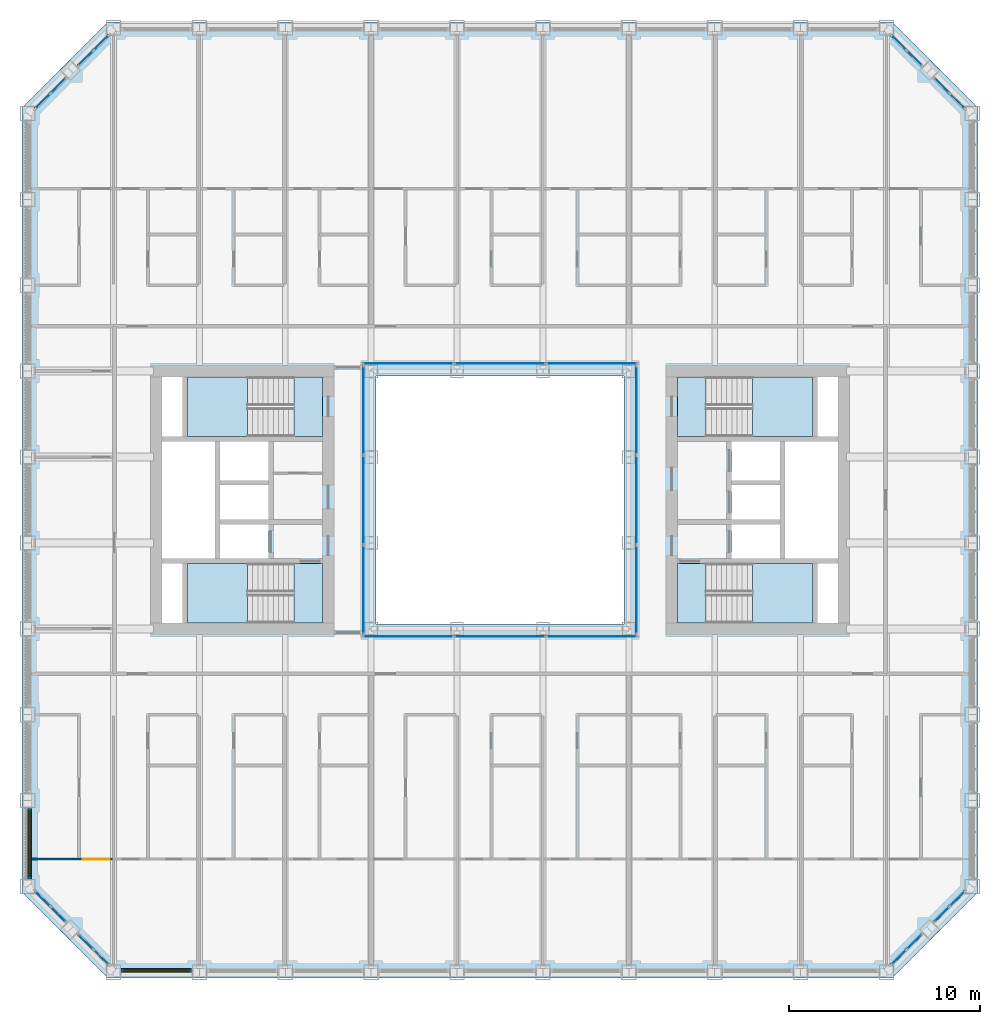
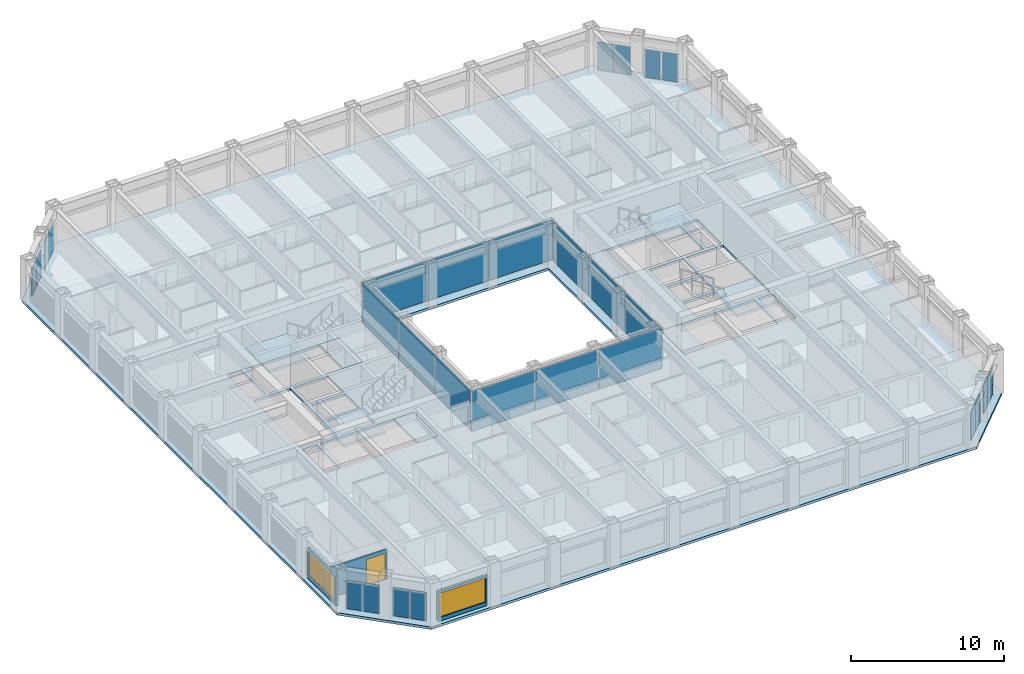
# One storey, part 8 of 21: 28 plates, 9 slabs, 3 walls, 2 windows, 1 door, 3 openings, 16 elements without a shape of their own.
"""IFC4 building model written with IfcOpenShell, lengths in metres."""

from ifc_helpers import new_model, si_unit, direction, frame, frame_2d, origin, origin_2d, place, context, subcontext, project, spatial, polyline, rectangle, outline, extrude, material, layer, layer_set, type_object, element, fill, aggregate, save


model = new_model("IFC4")

# Units and contexts
model_context = context("Model", 3, precision=1e-05, world=origin(), true_north=direction((0.0, 1.0)))
body_context = subcontext(model_context, "Body", "Model", "MODEL_VIEW")
ifc_project = project(units=[si_unit("LENGTHUNIT", "METRE"), si_unit("AREAUNIT", "SQUARE_METRE"), si_unit("VOLUMEUNIT", "CUBIC_METRE"), si_unit("PLANEANGLEUNIT", "RADIAN"), si_unit("MASSUNIT", "GRAM", prefix="KILO")], contexts=[model_context])

# Site, building, storey
site_placement = place(None, origin())
site = spatial("IfcSite", under=ifc_project, at=site_placement, CompositionType="ELEMENT")
building_placement = place(site_placement, origin())
building = spatial("IfcBuilding", under=site, at=building_placement, Name="Msasa Ring Tower", CompositionType="ELEMENT")
storey_placement = place(building_placement, frame((0.0, 0.0, 96.5)))
storey = spatial("IfcBuildingStorey", under=building, at=storey_placement, Name="L25", CompositionType="ELEMENT", Elevation=96.5)

# Curtain wall, plates
ifc_material_1 = material(Name="Aluminium curtain wall with clear glass", Category="aluminium")
curtain_wall_type_1 = type_object("IfcCurtainWallType", Name="CW-C CHAMFER CORNER CURTAIN WALL", PredefinedType="NOTDEFINED", material=ifc_material_1)
curtain_wall_1_placement = place(storey_placement, origin())
curtain_wall_1 = element("IfcCurtainWall", 1, at=curtain_wall_1_placement, inside=storey, type_object=curtain_wall_type_1, Name="Chamfer corner curtain wall SE L25", PredefinedType="NOTDEFINED")
ifc_material_2 = material(Name="Clear laminated insulating glass unit", Category="glass")
ifc_layer_1 = layer(ifc_material_2, 0.031982421875)
ifc_layer_set_1 = layer_set([ifc_layer_1], Name="CW-C GLASS PANEL 32")
plate_type_1 = type_object("IfcPlateType", Name="CW-C GLASS PANEL 32", PredefinedType="CURTAIN_PANEL", material=ifc_layer_set_1)
plate_1_placement = place(storey_placement, frame((20.896484375, -23.962158203125, 0.06494140625), z_axis=(0.0, 0.0, 1.0), x_axis=(0.707106781187, 0.707106781187, 0.0)))
plate_1 = element("IfcPlate", 2, at=plate_1_placement, type_object=plate_type_1, Name="CW-C panel 1.1", PredefinedType="CURTAIN_PANEL", context=body_context, shape_type="SweptSolid", body=[
    extrude(rectangle(XDim=1.08837890625, YDim=0.031982421875, at=origin_2d()), origin(), (0.0, 0.0, 1.0), 2.2490234375),
])
plate_2_placement = place(storey_placement, frame((21.712158203125, -23.146484375, 0.06494140625), z_axis=(0.0, 0.0, 1.0), x_axis=(0.707106781187, 0.707106781187, 0.0)))
plate_2 = element("IfcPlate", 3, at=plate_2_placement, type_object=plate_type_1, Name="CW-C panel 2.1", PredefinedType="CURTAIN_PANEL", context=body_context, shape_type="SweptSolid", body=[
    extrude(rectangle(XDim=1.08837890625, YDim=0.031982421875, at=origin_2d()), origin(), (0.0, 0.0, 1.0), 2.2490234375),
])
aggregate(curtain_wall_1, [plate_1, plate_2])

curtain_wall_2_placement = place(storey_placement, origin())
curtain_wall_2 = element("IfcCurtainWall", 4, at=curtain_wall_2_placement, inside=storey, type_object=curtain_wall_type_1, Name="Chamfer corner curtain wall SE L25", PredefinedType="NOTDEFINED")
plate_3_placement = place(storey_placement, frame((23.146484375, -21.712158203125, 0.06494140625), z_axis=(0.0, 0.0, 1.0), x_axis=(0.707106781187, 0.707106781187, 0.0)))
plate_3 = element("IfcPlate", 5, at=plate_3_placement, type_object=plate_type_1, Name="CW-C panel 1.1", PredefinedType="CURTAIN_PANEL", context=body_context, shape_type="SweptSolid", body=[
    extrude(rectangle(XDim=1.08837890625, YDim=0.031982421875, at=origin_2d()), origin(), (0.0, 0.0, 1.0), 2.2490234375),
])
plate_4_placement = place(storey_placement, frame((23.962158203125, -20.896484375, 0.06494140625), z_axis=(0.0, 0.0, 1.0), x_axis=(0.707106781187, 0.707106781187, 0.0)))
plate_4 = element("IfcPlate", 6, at=plate_4_placement, type_object=plate_type_1, Name="CW-C panel 2.1", PredefinedType="CURTAIN_PANEL", context=body_context, shape_type="SweptSolid", body=[
    extrude(rectangle(XDim=1.08837890625, YDim=0.031982421875, at=origin_2d()), origin(), (0.0, 0.0, 1.0), 2.2490234375),
])
aggregate(curtain_wall_2, [plate_3, plate_4])

curtain_wall_3_placement = place(storey_placement, origin())
curtain_wall_3 = element("IfcCurtainWall", 7, at=curtain_wall_3_placement, inside=storey, type_object=curtain_wall_type_1, Name="Chamfer corner curtain wall NE L25", PredefinedType="NOTDEFINED")
plate_5_placement = place(storey_placement, frame((21.712158203125, 23.146484375, 0.06494140625), z_axis=(0.0, 0.0, 1.0), x_axis=(-0.707106781187, 0.707106781187, 0.0)))
plate_5 = element("IfcPlate", 8, at=plate_5_placement, type_object=plate_type_1, Name="CW-C panel 1.1", PredefinedType="CURTAIN_PANEL", context=body_context, shape_type="SweptSolid", body=[
    extrude(rectangle(XDim=1.08837890625, YDim=0.031982421875, at=origin_2d()), origin(), (0.0, 0.0, 1.0), 2.2490234375),
])
plate_6_placement = place(storey_placement, frame((20.896484375, 23.962158203125, 0.06494140625), z_axis=(0.0, 0.0, 1.0), x_axis=(-0.707106781187, 0.707106781187, 0.0)))
plate_6 = element("IfcPlate", 9, at=plate_6_placement, type_object=plate_type_1, Name="CW-C panel 2.1", PredefinedType="CURTAIN_PANEL", context=body_context, shape_type="SweptSolid", body=[
    extrude(rectangle(XDim=1.08837890625, YDim=0.031982421875, at=origin_2d()), origin(), (0.0, 0.0, 1.0), 2.2490234375),
])
aggregate(curtain_wall_3, [plate_5, plate_6])

curtain_wall_4_placement = place(storey_placement, origin())
curtain_wall_4 = element("IfcCurtainWall", 10, at=curtain_wall_4_placement, inside=storey, type_object=curtain_wall_type_1, Name="Chamfer corner curtain wall NE L25", PredefinedType="NOTDEFINED")
plate_7_placement = place(storey_placement, frame((23.962158203125, 20.896484375, 0.06494140625), z_axis=(0.0, 0.0, 1.0), x_axis=(-0.707106781187, 0.707106781187, 0.0)))
plate_7 = element("IfcPlate", 11, at=plate_7_placement, type_object=plate_type_1, Name="CW-C panel 1.1", PredefinedType="CURTAIN_PANEL", context=body_context, shape_type="SweptSolid", body=[
    extrude(rectangle(XDim=1.08837890625, YDim=0.031982421875, at=origin_2d()), origin(), (0.0, 0.0, 1.0), 2.2490234375),
])
plate_8_placement = place(storey_placement, frame((23.146484375, 21.712158203125, 0.06494140625), z_axis=(0.0, 0.0, 1.0), x_axis=(-0.707106781187, 0.707106781187, 0.0)))
plate_8 = element("IfcPlate", 12, at=plate_8_placement, type_object=plate_type_1, Name="CW-C panel 2.1", PredefinedType="CURTAIN_PANEL", context=body_context, shape_type="SweptSolid", body=[
    extrude(rectangle(XDim=1.08837890625, YDim=0.031982421875, at=origin_2d()), origin(), (0.0, 0.0, 1.0), 2.2490234375),
])
aggregate(curtain_wall_4, [plate_7, plate_8])

curtain_wall_5_placement = place(storey_placement, origin())
curtain_wall_5 = element("IfcCurtainWall", 13, at=curtain_wall_5_placement, inside=storey, type_object=curtain_wall_type_1, Name="Chamfer corner curtain wall NW L25", PredefinedType="NOTDEFINED")
plate_9_placement = place(storey_placement, frame((-23.146484375, 21.712158203125, 0.06494140625), z_axis=(0.0, 0.0, 1.0), x_axis=(-0.707106781187, -0.707106781187, 0.0)))
plate_9 = element("IfcPlate", 14, at=plate_9_placement, type_object=plate_type_1, Name="CW-C panel 1.1", PredefinedType="CURTAIN_PANEL", context=body_context, shape_type="SweptSolid", body=[
    extrude(rectangle(XDim=1.08837890625, YDim=0.031982421875, at=origin_2d()), origin(), (0.0, 0.0, 1.0), 2.2490234375),
])
plate_10_placement = place(storey_placement, frame((-23.962158203125, 20.896484375, 0.06494140625), z_axis=(0.0, 0.0, 1.0), x_axis=(-0.707106781187, -0.707106781187, 0.0)))
plate_10 = element("IfcPlate", 15, at=plate_10_placement, type_object=plate_type_1, Name="CW-C panel 2.1", PredefinedType="CURTAIN_PANEL", context=body_context, shape_type="SweptSolid", body=[
    extrude(rectangle(XDim=1.08837890625, YDim=0.031982421875, at=origin_2d()), origin(), (0.0, 0.0, 1.0), 2.2490234375),
])
aggregate(curtain_wall_5, [plate_9, plate_10])

curtain_wall_6_placement = place(storey_placement, origin())
curtain_wall_6 = element("IfcCurtainWall", 16, at=curtain_wall_6_placement, inside=storey, type_object=curtain_wall_type_1, Name="Chamfer corner curtain wall NW L25", PredefinedType="NOTDEFINED")
plate_11_placement = place(storey_placement, frame((-20.896484375, 23.962158203125, 0.06494140625), z_axis=(0.0, 0.0, 1.0), x_axis=(-0.707106781187, -0.707106781187, 0.0)))
plate_11 = element("IfcPlate", 17, at=plate_11_placement, type_object=plate_type_1, Name="CW-C panel 1.1", PredefinedType="CURTAIN_PANEL", context=body_context, shape_type="SweptSolid", body=[
    extrude(rectangle(XDim=1.08837890625, YDim=0.031982421875, at=origin_2d()), origin(), (0.0, 0.0, 1.0), 2.2490234375),
])
plate_12_placement = place(storey_placement, frame((-21.712158203125, 23.146484375, 0.06494140625), z_axis=(0.0, 0.0, 1.0), x_axis=(-0.707106781187, -0.707106781187, 0.0)))
plate_12 = element("IfcPlate", 18, at=plate_12_placement, type_object=plate_type_1, Name="CW-C panel 2.1", PredefinedType="CURTAIN_PANEL", context=body_context, shape_type="SweptSolid", body=[
    extrude(rectangle(XDim=1.08837890625, YDim=0.031982421875, at=origin_2d()), origin(), (0.0, 0.0, 1.0), 2.2490234375),
])
aggregate(curtain_wall_6, [plate_11, plate_12])

curtain_wall_7_placement = place(storey_placement, origin())
curtain_wall_7 = element("IfcCurtainWall", 19, at=curtain_wall_7_placement, inside=storey, type_object=curtain_wall_type_1, Name="Chamfer corner curtain wall SW L25", PredefinedType="NOTDEFINED")
plate_13_placement = place(storey_placement, frame((-23.962158203125, -20.896484375, 0.06494140625), z_axis=(0.0, 0.0, 1.0), x_axis=(0.707106781187, -0.707106781187, 0.0)))
plate_13 = element("IfcPlate", 20, at=plate_13_placement, type_object=plate_type_1, Name="CW-C panel 1.1", PredefinedType="CURTAIN_PANEL", context=body_context, shape_type="SweptSolid", body=[
    extrude(rectangle(XDim=1.08837890625, YDim=0.031982421875, at=origin_2d()), origin(), (0.0, 0.0, 1.0), 2.2490234375),
])
plate_14_placement = place(storey_placement, frame((-23.146484375, -21.712158203125, 0.06494140625), z_axis=(0.0, 0.0, 1.0), x_axis=(0.707106781187, -0.707106781187, 0.0)))
plate_14 = element("IfcPlate", 21, at=plate_14_placement, type_object=plate_type_1, Name="CW-C panel 2.1", PredefinedType="CURTAIN_PANEL", context=body_context, shape_type="SweptSolid", body=[
    extrude(rectangle(XDim=1.08837890625, YDim=0.031982421875, at=origin_2d()), origin(), (0.0, 0.0, 1.0), 2.2490234375),
])
aggregate(curtain_wall_7, [plate_13, plate_14])

curtain_wall_8_placement = place(storey_placement, origin())
curtain_wall_8 = element("IfcCurtainWall", 22, at=curtain_wall_8_placement, inside=storey, type_object=curtain_wall_type_1, Name="Chamfer corner curtain wall SW L25", PredefinedType="NOTDEFINED")
plate_15_placement = place(storey_placement, frame((-21.712158203125, -23.146484375, 0.06494140625), z_axis=(0.0, 0.0, 1.0), x_axis=(0.707106781187, -0.707106781187, 0.0)))
plate_15 = element("IfcPlate", 23, at=plate_15_placement, type_object=plate_type_1, Name="CW-C panel 1.1", PredefinedType="CURTAIN_PANEL", context=body_context, shape_type="SweptSolid", body=[
    extrude(rectangle(XDim=1.08837890625, YDim=0.031982421875, at=origin_2d()), origin(), (0.0, 0.0, 1.0), 2.2490234375),
])
plate_16_placement = place(storey_placement, frame((-20.896484375, -23.962158203125, 0.06494140625), z_axis=(0.0, 0.0, 1.0), x_axis=(0.707106781187, -0.707106781187, 0.0)))
plate_16 = element("IfcPlate", 24, at=plate_16_placement, type_object=plate_type_1, Name="CW-C panel 2.1", PredefinedType="CURTAIN_PANEL", context=body_context, shape_type="SweptSolid", body=[
    extrude(rectangle(XDim=1.08837890625, YDim=0.031982421875, at=origin_2d()), origin(), (0.0, 0.0, 1.0), 2.2490234375),
])
aggregate(curtain_wall_8, [plate_15, plate_16])

ifc_material_3 = material(Name="Aluminium curtain wall with clear glass", Category="aluminium")
curtain_wall_type_2 = type_object("IfcCurtainWallType", Name="CW-W LIGHT WELL CURTAIN WALL", PredefinedType="NOTDEFINED", material=ifc_material_3)
curtain_wall_9_placement = place(storey_placement, origin())
curtain_wall_9 = element("IfcCurtainWall", 25, at=curtain_wall_9_placement, inside=storey, type_object=curtain_wall_type_2, Name="Light well curtain wall N L25", PredefinedType="NOTDEFINED")
ifc_material_4 = material(Name="Clear laminated insulating glass unit", Category="glass")
ifc_layer_2 = layer(ifc_material_4, 0.028076171875)
ifc_layer_set_2 = layer_set([ifc_layer_2], Name="CW-W GLASS PANEL 28")
plate_type_2 = type_object("IfcPlateType", Name="CW-W GLASS PANEL 28", PredefinedType="CURTAIN_PANEL", material=ifc_layer_set_2)
plate_17_placement = place(storey_placement, frame((-4.804931640625, 7.14990234375, 0.06005859375), z_axis=(0.0, 0.0, 1.0), x_axis=(1.0, 0.0, 0.0)))
plate_17 = element("IfcPlate", 26, at=plate_17_placement, type_object=plate_type_2, Name="CW-W panel 1.1", PredefinedType="CURTAIN_PANEL", context=body_context, shape_type="SweptSolid", body=[
    extrude(rectangle(XDim=4.72998046875, YDim=0.028076171875, at=origin_2d()), origin(), (0.0, 0.0, 1.0), 3.179931640625),
])
plate_18_placement = place(storey_placement, frame((0.0, 7.14990234375, 0.06005859375), z_axis=(0.0, 0.0, 1.0), x_axis=(1.0, 0.0, 0.0)))
plate_18 = element("IfcPlate", 27, at=plate_18_placement, type_object=plate_type_2, Name="CW-W panel 2.1", PredefinedType="CURTAIN_PANEL", context=body_context, shape_type="SweptSolid", body=[
    extrude(rectangle(XDim=4.760009765625, YDim=0.028076171875, at=origin_2d()), origin(), (0.0, 0.0, 1.0), 3.179931640625),
])
plate_19_placement = place(storey_placement, frame((4.804931640625, 7.14990234375, 0.06005859375), z_axis=(0.0, 0.0, 1.0), x_axis=(1.0, 0.0, 0.0)))
plate_19 = element("IfcPlate", 28, at=plate_19_placement, type_object=plate_type_2, Name="CW-W panel 3.1", PredefinedType="CURTAIN_PANEL", context=body_context, shape_type="SweptSolid", body=[
    extrude(rectangle(XDim=4.72998046875, YDim=0.028076171875, at=origin_2d()), origin(), (0.0, 0.0, 1.0), 3.179931640625),
])
aggregate(curtain_wall_9, [plate_17, plate_18, plate_19])

curtain_wall_10_placement = place(storey_placement, origin())
curtain_wall_10 = element("IfcCurtainWall", 29, at=curtain_wall_10_placement, inside=storey, type_object=curtain_wall_type_2, Name="Light well curtain wall S L25", PredefinedType="NOTDEFINED")
plate_20_placement = place(storey_placement, frame((-4.804931640625, -7.14990234375, 0.06005859375), z_axis=(0.0, 0.0, 1.0), x_axis=(1.0, 0.0, 0.0)))
plate_20 = element("IfcPlate", 30, at=plate_20_placement, type_object=plate_type_2, Name="CW-W panel 1.1", PredefinedType="CURTAIN_PANEL", context=body_context, shape_type="SweptSolid", body=[
    extrude(rectangle(XDim=4.72998046875, YDim=0.028076171875, at=origin_2d()), origin(), (0.0, 0.0, 1.0), 3.179931640625),
])
plate_21_placement = place(storey_placement, frame((0.0, -7.14990234375, 0.06005859375), z_axis=(0.0, 0.0, 1.0), x_axis=(1.0, 0.0, 0.0)))
plate_21 = element("IfcPlate", 31, at=plate_21_placement, type_object=plate_type_2, Name="CW-W panel 2.1", PredefinedType="CURTAIN_PANEL", context=body_context, shape_type="SweptSolid", body=[
    extrude(rectangle(XDim=4.760009765625, YDim=0.028076171875, at=origin_2d()), origin(), (0.0, 0.0, 1.0), 3.179931640625),
])
plate_22_placement = place(storey_placement, frame((4.804931640625, -7.14990234375, 0.06005859375), z_axis=(0.0, 0.0, 1.0), x_axis=(1.0, 0.0, 0.0)))
plate_22 = element("IfcPlate", 32, at=plate_22_placement, type_object=plate_type_2, Name="CW-W panel 3.1", PredefinedType="CURTAIN_PANEL", context=body_context, shape_type="SweptSolid", body=[
    extrude(rectangle(XDim=4.72998046875, YDim=0.028076171875, at=origin_2d()), origin(), (0.0, 0.0, 1.0), 3.179931640625),
])
aggregate(curtain_wall_10, [plate_20, plate_21, plate_22])

curtain_wall_11_placement = place(storey_placement, origin())
curtain_wall_11 = element("IfcCurtainWall", 33, at=curtain_wall_11_placement, inside=storey, type_object=curtain_wall_type_2, Name="Light well curtain wall E L25", PredefinedType="NOTDEFINED")
plate_23_placement = place(storey_placement, frame((7.14990234375, -4.6982421875, 0.06005859375), z_axis=(0.0, 0.0, 1.0), x_axis=(0.0, 1.0, 0.0)))
plate_23 = element("IfcPlate", 34, at=plate_23_placement, type_object=plate_type_2, Name="CW-W panel 1.1", PredefinedType="CURTAIN_PANEL", context=body_context, shape_type="SweptSolid", body=[
    extrude(rectangle(XDim=4.623291015625, YDim=0.028076171875, at=origin_2d()), origin(), (0.0, 0.0, 1.0), 3.179931640625),
])
plate_24_placement = place(storey_placement, frame((7.14990234375, 0.0, 0.06005859375), z_axis=(0.0, 0.0, 1.0), x_axis=(0.0, 1.0, 0.0)))
plate_24 = element("IfcPlate", 35, at=plate_24_placement, type_object=plate_type_2, Name="CW-W panel 2.1", PredefinedType="CURTAIN_PANEL", context=body_context, shape_type="SweptSolid", body=[
    extrude(rectangle(XDim=4.6533203125, YDim=0.028076171875, at=origin_2d()), origin(), (0.0, 0.0, 1.0), 3.179931640625),
])
plate_25_placement = place(storey_placement, frame((7.14990234375, 4.6982421875, 0.06005859375), z_axis=(0.0, 0.0, 1.0), x_axis=(0.0, 1.0, 0.0)))
plate_25 = element("IfcPlate", 36, at=plate_25_placement, type_object=plate_type_2, Name="CW-W panel 3.1", PredefinedType="CURTAIN_PANEL", context=body_context, shape_type="SweptSolid", body=[
    extrude(rectangle(XDim=4.623291015625, YDim=0.028076171875, at=origin_2d()), origin(), (0.0, 0.0, 1.0), 3.179931640625),
])
aggregate(curtain_wall_11, [plate_23, plate_24, plate_25])

curtain_wall_12_placement = place(storey_placement, origin())
curtain_wall_12 = element("IfcCurtainWall", 37, at=curtain_wall_12_placement, inside=storey, type_object=curtain_wall_type_2, Name="Light well curtain wall W L25", PredefinedType="NOTDEFINED")
plate_26_placement = place(storey_placement, frame((-7.14990234375, -4.6982421875, 0.06005859375), z_axis=(0.0, 0.0, 1.0), x_axis=(0.0, 1.0, 0.0)))
plate_26 = element("IfcPlate", 38, at=plate_26_placement, type_object=plate_type_2, Name="CW-W panel 1.1", PredefinedType="CURTAIN_PANEL", context=body_context, shape_type="SweptSolid", body=[
    extrude(rectangle(XDim=4.623291015625, YDim=0.028076171875, at=origin_2d()), origin(), (0.0, 0.0, 1.0), 3.179931640625),
])
plate_27_placement = place(storey_placement, frame((-7.14990234375, 0.0, 0.06005859375), z_axis=(0.0, 0.0, 1.0), x_axis=(0.0, 1.0, 0.0)))
plate_27 = element("IfcPlate", 39, at=plate_27_placement, type_object=plate_type_2, Name="CW-W panel 2.1", PredefinedType="CURTAIN_PANEL", context=body_context, shape_type="SweptSolid", body=[
    extrude(rectangle(XDim=4.6533203125, YDim=0.028076171875, at=origin_2d()), origin(), (0.0, 0.0, 1.0), 3.179931640625),
])
plate_28_placement = place(storey_placement, frame((-7.14990234375, 4.6982421875, 0.06005859375), z_axis=(0.0, 0.0, 1.0), x_axis=(0.0, 1.0, 0.0)))
plate_28 = element("IfcPlate", 40, at=plate_28_placement, type_object=plate_type_2, Name="CW-W panel 3.1", PredefinedType="CURTAIN_PANEL", context=body_context, shape_type="SweptSolid", body=[
    extrude(rectangle(XDim=4.623291015625, YDim=0.028076171875, at=origin_2d()), origin(), (0.0, 0.0, 1.0), 3.179931640625),
])
aggregate(curtain_wall_12, [plate_26, plate_27, plate_28])

# Stair, slabs
ifc_material_5 = material(Name="Concrete C40/50", Category="concrete")
stair_type = type_object("IfcStairType", Name="STC CORE STAIR 20 RISERS 175", PredefinedType="HALF_TURN_STAIR", material=ifc_material_5)
stair_1_placement = place(storey_placement, origin())
stair_1 = element("IfcStair", 41, at=stair_1_placement, inside=storey, type_object=stair_type, Name="Core stair SEA L25", PredefinedType="HALF_TURN_STAIR")
ifc_material_6 = material(Name="Concrete C40/50", Category="concrete")
ifc_layer_3 = layer(ifc_material_6, 0.199951171875)
ifc_layer_set_3 = layer_set([ifc_layer_3], Name="LD1 CORE STAIR LANDING 200")
slab_type_1 = type_object("IfcSlabType", Name="LD1 CORE STAIR LANDING 200", PredefinedType="LANDING", material=ifc_layer_set_3)
slab_1_placement = place(storey_placement, frame((0.0, 0.0, -0.199951171875)))
slab_1 = element("IfcSlab", 42, at=slab_1_placement, type_object=slab_type_1, Name="SEA landing 1", PredefinedType="LANDING", context=body_context, shape_type="SweptSolid", body=[
    extrude(outline(polyline([(9.300048828125, -6.449951171875), (10.800048828125, -6.449951171875), (10.800048828125, -3.324951171875), (9.300048828125, -3.324951171875), (9.300048828125, -6.449951171875)])), origin(), (0.0, 0.0, 1.0), 0.199951171875),
])
slab_2_placement = place(storey_placement, frame((0.0, 0.0, 1.550048828125)))
slab_2 = element("IfcSlab", 43, at=slab_2_placement, type_object=slab_type_1, Name="SEA landing 2", PredefinedType="LANDING", context=body_context, shape_type="SweptSolid", body=[
    extrude(outline(polyline([(13.22998046875, -6.449951171875), (16.375, -6.449951171875), (16.375, -3.324951171875), (13.22998046875, -3.324951171875), (13.22998046875, -6.449951171875)])), origin(), (0.0, 0.0, 1.0), 0.199951171875),
])
aggregate(stair_1, [slab_1, slab_2])

stair_2_placement = place(storey_placement, origin())
stair_2 = element("IfcStair", 44, at=stair_2_placement, inside=storey, type_object=stair_type, Name="Core stair SEB L25", PredefinedType="HALF_TURN_STAIR")
slab_3_placement = place(storey_placement, frame((0.0, 0.0, -0.199951171875)))
slab_3 = element("IfcSlab", 45, at=slab_3_placement, type_object=slab_type_1, Name="SEB landing 1", PredefinedType="LANDING", context=body_context, shape_type="SweptSolid", body=[
    extrude(outline(polyline([(9.300048828125, 3.324951171875), (10.800048828125, 3.324951171875), (10.800048828125, 6.449951171875), (9.300048828125, 6.449951171875), (9.300048828125, 3.324951171875)])), origin(), (0.0, 0.0, 1.0), 0.199951171875),
])
slab_4_placement = place(storey_placement, frame((0.0, 0.0, 1.550048828125)))
slab_4 = element("IfcSlab", 46, at=slab_4_placement, type_object=slab_type_1, Name="SEB landing 2", PredefinedType="LANDING", context=body_context, shape_type="SweptSolid", body=[
    extrude(outline(polyline([(13.22998046875, 3.324951171875), (16.375, 3.324951171875), (16.375, 6.449951171875), (13.22998046875, 6.449951171875), (13.22998046875, 3.324951171875)])), origin(), (0.0, 0.0, 1.0), 0.199951171875),
])
aggregate(stair_2, [slab_3, slab_4])

stair_3_placement = place(storey_placement, origin())
stair_3 = element("IfcStair", 47, at=stair_3_placement, inside=storey, type_object=stair_type, Name="Core stair SWA L25", PredefinedType="HALF_TURN_STAIR")
slab_5_placement = place(storey_placement, frame((0.0, 0.0, -0.199951171875)))
slab_5 = element("IfcSlab", 48, at=slab_5_placement, type_object=slab_type_1, Name="SWA landing 1", PredefinedType="LANDING", context=body_context, shape_type="SweptSolid", body=[
    extrude(outline(polyline([(-10.800048828125, -6.449951171875), (-9.300048828125, -6.449951171875), (-9.300048828125, -3.324951171875), (-10.800048828125, -3.324951171875), (-10.800048828125, -6.449951171875)])), origin(), (0.0, 0.0, 1.0), 0.199951171875),
])
slab_6_placement = place(storey_placement, frame((0.0, 0.0, 1.550048828125)))
slab_6 = element("IfcSlab", 49, at=slab_6_placement, type_object=slab_type_1, Name="SWA landing 2", PredefinedType="LANDING", context=body_context, shape_type="SweptSolid", body=[
    extrude(outline(polyline([(-16.375, -6.449951171875), (-13.22998046875, -6.449951171875), (-13.22998046875, -3.324951171875), (-16.375, -3.324951171875), (-16.375, -6.449951171875)])), origin(), (0.0, 0.0, 1.0), 0.199951171875),
])
aggregate(stair_3, [slab_5, slab_6])

stair_4_placement = place(storey_placement, origin())
stair_4 = element("IfcStair", 50, at=stair_4_placement, inside=storey, type_object=stair_type, Name="Core stair SWB L25", PredefinedType="HALF_TURN_STAIR")
slab_7_placement = place(storey_placement, frame((0.0, 0.0, -0.199951171875)))
slab_7 = element("IfcSlab", 51, at=slab_7_placement, type_object=slab_type_1, Name="SWB landing 1", PredefinedType="LANDING", context=body_context, shape_type="SweptSolid", body=[
    extrude(outline(polyline([(-10.800048828125, 3.324951171875), (-9.300048828125, 3.324951171875), (-9.300048828125, 6.449951171875), (-10.800048828125, 6.449951171875), (-10.800048828125, 3.324951171875)])), origin(), (0.0, 0.0, 1.0), 0.199951171875),
])
slab_8_placement = place(storey_placement, frame((0.0, 0.0, 1.550048828125)))
slab_8 = element("IfcSlab", 52, at=slab_8_placement, type_object=slab_type_1, Name="SWB landing 2", PredefinedType="LANDING", context=body_context, shape_type="SweptSolid", body=[
    extrude(outline(polyline([(-16.375, 3.324951171875), (-13.22998046875, 3.324951171875), (-13.22998046875, 6.449951171875), (-16.375, 6.449951171875), (-16.375, 3.324951171875)])), origin(), (0.0, 0.0, 1.0), 0.199951171875),
])
aggregate(stair_4, [slab_7, slab_8])

# Slab
ifc_material_7 = material(Name="Concrete C40/50", Category="concrete")
ifc_layer_4 = layer(ifc_material_7, 0.199951171875)
ifc_layer_set_4 = layer_set([ifc_layer_4], Name="S3 RESIDENCE FLOOR 200")
slab_type_2 = type_object("IfcSlabType", Name="S3 RESIDENCE FLOOR 200", PredefinedType="FLOOR", material=ifc_layer_set_4)
slab_9_placement = place(storey_placement, frame((0.0, 0.0, -0.199951171875)))
element("IfcSlab", 53, at=slab_9_placement, inside=storey, type_object=slab_type_2, Name="Floor slab L25", PredefinedType="FLOOR", context=body_context, shape_type="SweptSolid", body=[
    extrude(outline(polyline([(-20.550048828125, -25.050048828125), (20.550048828125, -25.050048828125), (25.050048828125, -20.550048828125), (25.050048828125, 20.550048828125), (20.550048828125, 25.050048828125), (-20.550048828125, 25.050048828125), (-25.050048828125, 20.550048828125), (-25.050048828125, -20.550048828125), (-20.550048828125, -25.050048828125)]), holes=[polyline([(-6.5, -6.5), (6.5, -6.5), (6.5, 6.5), (-6.5, 6.5), (-6.5, -6.5)]), polyline([(9.300048828125, -6.449951171875), (16.375, -6.449951171875), (16.375, -3.324951171875), (9.300048828125, -3.324951171875), (9.300048828125, -6.449951171875)]), polyline([(9.300048828125, 3.324951171875), (16.375, 3.324951171875), (16.375, 6.449951171875), (9.300048828125, 6.449951171875), (9.300048828125, 3.324951171875)]), polyline([(12.125, -3.074951171875), (14.675048828125, -3.074951171875), (14.675048828125, -1.27490234375), (12.125, -1.27490234375), (12.125, -3.074951171875)]), polyline([(12.125, -1.02490234375), (14.675048828125, -1.02490234375), (14.675048828125, 0.77490234375), (12.125, 0.77490234375), (12.125, -1.02490234375)]), polyline([(12.125, 1.02490234375), (14.675048828125, 1.02490234375), (14.675048828125, 3.074951171875), (12.125, 3.074951171875), (12.125, 1.02490234375)]), polyline([(16.625, -6.449951171875), (17.699951171875, -6.449951171875), (17.699951171875, -3.324951171875), (16.625, -3.324951171875), (16.625, -6.449951171875)]), polyline([(16.625, 3.324951171875), (17.699951171875, 3.324951171875), (17.699951171875, 6.449951171875), (16.625, 6.449951171875), (16.625, 3.324951171875)]), polyline([(14.925048828125, -3.074951171875), (17.699951171875, -3.074951171875), (17.699951171875, 3.074951171875), (14.925048828125, 3.074951171875), (14.925048828125, -3.074951171875)]), polyline([(-16.375, -6.449951171875), (-9.300048828125, -6.449951171875), (-9.300048828125, -3.324951171875), (-16.375, -3.324951171875), (-16.375, -6.449951171875)]), polyline([(-16.375, 3.324951171875), (-9.300048828125, 3.324951171875), (-9.300048828125, 6.449951171875), (-16.375, 6.449951171875), (-16.375, 3.324951171875)]), polyline([(-14.675048828125, -3.074951171875), (-12.125, -3.074951171875), (-12.125, -1.27490234375), (-14.675048828125, -1.27490234375), (-14.675048828125, -3.074951171875)]), polyline([(-14.675048828125, -1.02490234375), (-12.125, -1.02490234375), (-12.125, 0.77490234375), (-14.675048828125, 0.77490234375), (-14.675048828125, -1.02490234375)]), polyline([(-14.675048828125, 1.02490234375), (-12.125, 1.02490234375), (-12.125, 3.074951171875), (-14.675048828125, 3.074951171875), (-14.675048828125, 1.02490234375)]), polyline([(-17.699951171875, -6.449951171875), (-16.625, -6.449951171875), (-16.625, -3.324951171875), (-17.699951171875, -3.324951171875), (-17.699951171875, -6.449951171875)]), polyline([(-17.699951171875, 3.324951171875), (-16.625, 3.324951171875), (-16.625, 6.449951171875), (-17.699951171875, 6.449951171875), (-17.699951171875, 3.324951171875)]), polyline([(-17.699951171875, -3.074951171875), (-14.925048828125, -3.074951171875), (-14.925048828125, 3.074951171875), (-17.699951171875, 3.074951171875), (-17.699951171875, -3.074951171875)])]), origin(), (0.0, 0.0, 1.0), 0.199951171875),
])

# Wall, opening, window
ifc_material_8 = material(Name="Terracotta rainscreen on blockwork", Category="masonry")
ifc_layer_5 = layer(ifc_material_8, 0.199951171875)
ifc_layer_set_5 = layer_set([ifc_layer_5], Name="FW1 TERRACOTTA-LINED INFILL BAY WALL 200")
wall_type_1 = type_object("IfcWallType", Name="FW1 TERRACOTTA-LINED INFILL BAY WALL 200", PredefinedType="SOLIDWALL", material=ifc_layer_set_5)
wall_1_placement = place(storey_placement, frame((-19.844970703125, -24.64990234375, 0.0), z_axis=(0.0, 0.0, 1.0), x_axis=(1.0, 0.0, 0.0)))
wall_1 = element("IfcWall", 54, at=wall_1_placement, inside=storey, type_object=wall_type_1, Name="Infill bay wall S L25 00", PredefinedType="SOLIDWALL", context=body_context, shape_type="SweptSolid", body=[
    extrude(rectangle(XDim=3.68994140625, YDim=0.199951171875, at=frame_2d((1.844970703125, 0.0))), origin(), (0.0, 0.0, 1.0), 2.37890625),
])
opening_1_placement = place(wall_1_placement, frame((0.14501953125, 0.0, 0.300048828125)))
opening_1 = element("IfcOpeningElement", 55, at=opening_1_placement, cuts=wall_1, Name="Opening WN1", PredefinedType="OPENING", context=body_context, shape_type="SweptSolid", body=[
    extrude(rectangle(XDim=3.39990234375, YDim=1.928955078125, at=frame_2d((1.699951171875, 0.96435546875))), frame((0.0, 0.10986328125, 0.0), z_axis=(0.0, -1.0, 0.0), x_axis=(1.0, 0.0, 0.0)), (0.0, 0.0, 1.0), 0.219970703125),
])
ifc_material_9 = material(Name="Aluminium frame with clear glass", Category="aluminium")
window_type = type_object("IfcWindowType", Name="WN1 RESIDENCE WINDOW 3400x1929", PartitioningType="SINGLE_PANEL", PredefinedType="WINDOW", material=ifc_material_9)
window_1_placement = place(opening_1_placement, origin())
window_1 = element("IfcWindow", 56, at=window_1_placement, inside=storey, type_object=window_type, Name="Window S L25 00", OverallHeight=1.928955078125, OverallWidth=3.39990234375, PartitioningType="SINGLE_PANEL", PredefinedType="WINDOW", context=body_context, shape_type="SweptSolid", body=[
    extrude(rectangle(XDim=3.39990234375, YDim=1.928955078125, at=frame_2d((1.699951171875, 0.96435546875))), frame((0.0, 0.030029296875, 0.0), z_axis=(0.0, -1.0, 0.0), x_axis=(1.0, 0.0, 0.0)), (0.0, 0.0, 1.0), 0.06005859375),
])
fill(opening_1, window_1)

wall_2_placement = place(storey_placement, frame((-24.64990234375, -19.844970703125, 0.0), z_axis=(0.0, 0.0, 1.0), x_axis=(0.0, 1.0, 0.0)))
wall_2 = element("IfcWall", 57, at=wall_2_placement, inside=storey, type_object=wall_type_1, Name="Infill bay wall W L25 33", PredefinedType="SOLIDWALL", context=body_context, shape_type="SweptSolid", body=[
    extrude(rectangle(XDim=3.68994140625, YDim=0.199951171875, at=frame_2d((1.844970703125, 0.0))), origin(), (0.0, 0.0, 1.0), 2.37890625),
])
opening_2_placement = place(wall_2_placement, frame((0.14501953125, 0.0, 0.300048828125)))
opening_2 = element("IfcOpeningElement", 58, at=opening_2_placement, cuts=wall_2, Name="Opening WN1", PredefinedType="OPENING", context=body_context, shape_type="SweptSolid", body=[
    extrude(rectangle(XDim=3.39990234375, YDim=1.928955078125, at=frame_2d((1.699951171875, 0.96435546875))), frame((0.0, 0.10986328125, 0.0), z_axis=(0.0, -1.0, 0.0), x_axis=(1.0, 0.0, 0.0)), (0.0, 0.0, 1.0), 0.219970703125),
])
window_2_placement = place(opening_2_placement, origin())
window_2 = element("IfcWindow", 59, at=window_2_placement, inside=storey, type_object=window_type, Name="Window W L25 33", OverallHeight=1.928955078125, OverallWidth=3.39990234375, PartitioningType="SINGLE_PANEL", PredefinedType="WINDOW", context=body_context, shape_type="SweptSolid", body=[
    extrude(rectangle(XDim=3.39990234375, YDim=1.928955078125, at=frame_2d((1.699951171875, 0.96435546875))), frame((0.0, 0.030029296875, 0.0), z_axis=(0.0, -1.0, 0.0), x_axis=(1.0, 0.0, 0.0)), (0.0, 0.0, 1.0), 0.06005859375),
])
fill(opening_2, window_2)

# Wall, opening, door
ifc_material_10 = material(Name="Two layers of acoustic board each face on steel studs, mineral wool", Category="steel")
ifc_layer_6 = layer(ifc_material_10, 0.125)
ifc_layer_set_6 = layer_set([ifc_layer_6], Name="PT6 ACOUSTIC DOUBLE-BOARD PARTITION 125")
wall_type_2 = type_object("IfcWallType", Name="PT6 ACOUSTIC DOUBLE-BOARD PARTITION 125", PredefinedType="PARTITIONING", material=ifc_layer_set_6)
wall_3_placement = place(storey_placement, frame((-24.550048828125, -18.8125, 0.0), z_axis=(0.0, 0.0, 1.0), x_axis=(1.0, 0.0, 0.0)))
wall_3 = element("IfcWall", 60, at=wall_3_placement, inside=storey, type_object=wall_type_2, Name="Partition L25-US00SY0", PredefinedType="PARTITIONING", context=body_context, shape_type="SweptSolid", body=[
    extrude(rectangle(XDim=4.237548828125, YDim=0.125, at=frame_2d((2.11865234375, 0.0))), origin(), (0.0, 0.0, 1.0), 2.373291015625),
])
opening_3_placement = place(wall_3_placement, frame((2.699951171875, 0.0, 0.0)))
opening_3 = element("IfcOpeningElement", 61, at=opening_3_placement, cuts=wall_3, Name="Opening RG-064", PredefinedType="OPENING", context=body_context, shape_type="SweptSolid", body=[
    extrude(rectangle(XDim=1.39990234375, YDim=2.10009765625, at=frame_2d((0.699951171875, 1.050048828125))), frame((0.0, 0.072509765625, 0.0), z_axis=(0.0, -1.0, 0.0), x_axis=(1.0, 0.0, 0.0)), (0.0, 0.0, 1.0), 0.14501953125),
])
ifc_material_11 = material(Name="Timber door leaf in a steel frame", Category="steel")
door_type = type_object("IfcDoorType", Name="D15 LIVING ROOM PAIR OF GLAZED DOORS 1400x2100", OperationType="SINGLE_SWING_LEFT", PredefinedType="DOOR", material=ifc_material_11)
door_placement = place(opening_3_placement, origin())
door = element("IfcDoor", 62, at=door_placement, inside=storey, type_object=door_type, Name="Door L25-US00L", OperationType="SINGLE_SWING_RIGHT", OverallHeight=2.10009765625, OverallWidth=1.39990234375, PredefinedType="DOOR", context=body_context, shape_type="SweptSolid", body=[
    extrude(rectangle(XDim=1.39990234375, YDim=2.10009765625, at=frame_2d((0.699951171875, 1.050048828125))), frame((0.0, 0.02490234375, 0.0), z_axis=(0.0, -1.0, 0.0), x_axis=(1.0, 0.0, 0.0)), (0.0, 0.0, 1.0), 0.050048828125),
])
fill(opening_3, door)

save(model, "model.ifc")
